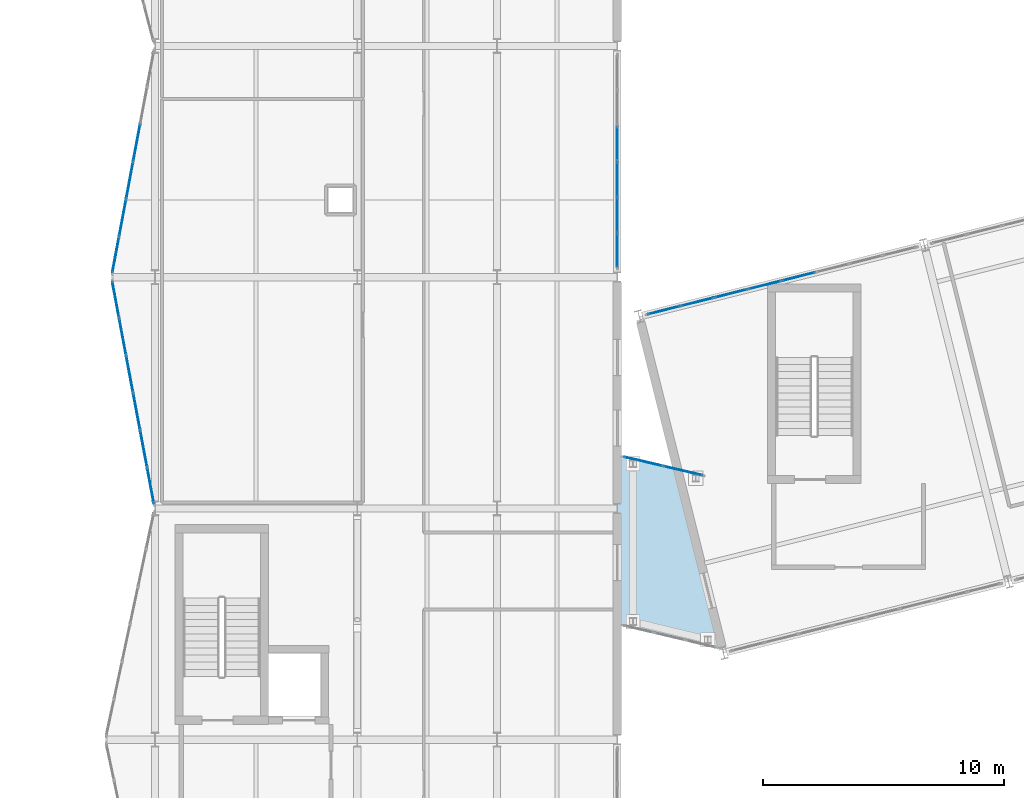
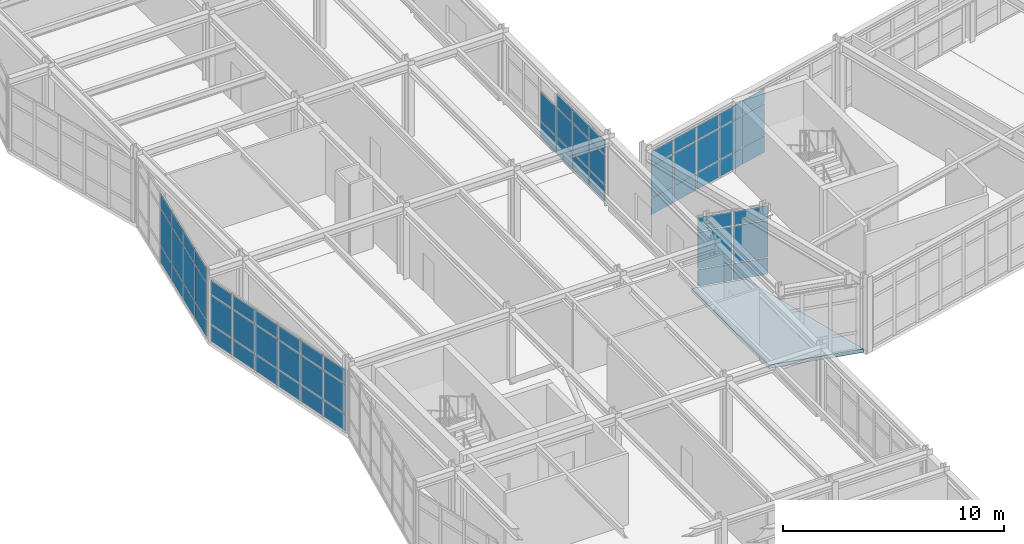
# One storey, part 59 of 99: 62 plates, 1 slab, 5 elements without a shape of their own.
"""IFC4 building model written with IfcOpenShell, lengths in metres."""

from ifc_helpers import new_model, si_unit, direction, frame, origin, origin_2d, place, context, subcontext, project, spatial, polyline, rectangle, outline, extrude, material, layer, layer_set, type_object, element, aggregate, save


model = new_model("IFC4")

# Units and contexts
model_context = context("Model", 3, precision=1e-05, world=origin(), true_north=direction((0.0, 1.0)))
body_context = subcontext(model_context, "Body", "Model", "MODEL_VIEW")
ifc_project = project(units=[si_unit("LENGTHUNIT", "METRE"), si_unit("AREAUNIT", "SQUARE_METRE"), si_unit("VOLUMEUNIT", "CUBIC_METRE"), si_unit("PLANEANGLEUNIT", "RADIAN"), si_unit("MASSUNIT", "GRAM", prefix="KILO")], contexts=[model_context])

# Site, building, storey
site_placement = place(None, origin())
site = spatial("IfcSite", under=ifc_project, at=site_placement, CompositionType="ELEMENT")
building_placement = place(site_placement, origin())
building = spatial("IfcBuilding", under=site, at=building_placement, Name="Nordkorset Police Headquarters", CompositionType="ELEMENT")
storey_placement = place(building_placement, frame((0.0, 0.0, 5.25)))
storey = spatial("IfcBuildingStorey", under=building, at=storey_placement, Name="L01", CompositionType="ELEMENT", Elevation=5.25)

# Curtain wall, plates
ifc_material_1 = material(Name="Aluminium alloy AW-6060", Category="aluminium")
ifc_layer_1 = layer(ifc_material_1, 0.179931640625, Name="Aluminium alloy AW-6060")
ifc_layer_set_1 = layer_set([ifc_layer_1], Name="Aluminium alloy AW-6060")
curtain_wall_type_1 = type_object("IfcCurtainWallType", Name="CW_Unit_949x350", PredefinedType="USERDEFINED", material=ifc_layer_set_1)
curtain_wall_1_placement = place(storey_placement, origin())
curtain_wall_1 = element("IfcCurtainWall", 1, at=curtain_wall_1_placement, inside=storey, type_object=curtain_wall_type_1, Name="Unitised Curtain Wall L01 V3W-2", ObjectType="UNITISED CURTAIN WALL", PredefinedType="USERDEFINED")
ifc_material_2 = material(Name="Low-iron triple glazing", Category="glass")
ifc_layer_2 = layer(ifc_material_2, 0.035888671875, Name="Low-iron triple glazing")
ifc_layer_set_2 = layer_set([ifc_layer_2], Name="Low-iron triple glazing")
plate_type = type_object("IfcPlateType", Name="CW_Panel_TripleGlazing_36", PredefinedType="CURTAIN_PANEL", material=ifc_layer_set_2)
plate_1_placement = place(storey_placement, frame((-0.174560546875, 48.9306640625, 0.06494140625), z_axis=(0.0, 0.0, 1.0), x_axis=(-0.184288535048, 0.982872186935, 0.0)))
plate_1 = element("IfcPlate", 2, at=plate_1_placement, type_object=plate_type, Name="CW-78 panel 1.1", PredefinedType="CURTAIN_PANEL", context=body_context, shape_type="SweptSolid", body=[
    extrude(rectangle(XDim=1.483642578125, YDim=0.035888671875, at=origin_2d()), origin(), (0.0, 0.0, 1.0), 0.902587890625),
])
plate_2_placement = place(storey_placement, frame((-0.174560546875, 48.9306640625, 1.032470703125), z_axis=(0.0, 0.0, 1.0), x_axis=(-0.184288535048, 0.982872186935, 0.0)))
plate_2 = element("IfcPlate", 3, at=plate_2_placement, type_object=plate_type, Name="CW-78 panel 1.2", PredefinedType="CURTAIN_PANEL", context=body_context, shape_type="SweptSolid", body=[
    extrude(rectangle(XDim=1.483642578125, YDim=0.035888671875, at=origin_2d()), origin(), (0.0, 0.0, 1.0), 1.5849609375),
])
plate_3_placement = place(storey_placement, frame((-0.174560546875, 48.9306640625, 2.6826171875), z_axis=(0.0, 0.0, 1.0), x_axis=(-0.184288535048, 0.982872186935, 0.0)))
plate_3 = element("IfcPlate", 4, at=plate_3_placement, type_object=plate_type, Name="CW-78 panel 1.3", PredefinedType="CURTAIN_PANEL", context=body_context, shape_type="SweptSolid", body=[
    extrude(rectangle(XDim=1.483642578125, YDim=0.035888671875, at=origin_2d()), origin(), (0.0, 0.0, 1.0), 0.75244140625),
])
plate_4_placement = place(storey_placement, frame((-0.462890625, 50.46875, 0.06494140625), z_axis=(0.0, 0.0, 1.0), x_axis=(-0.184288535048, 0.982872186935, 0.0)))
plate_4 = element("IfcPlate", 5, at=plate_4_placement, type_object=plate_type, Name="CW-78 panel 2.1", PredefinedType="CURTAIN_PANEL", context=body_context, shape_type="SweptSolid", body=[
    extrude(rectangle(XDim=1.51611328125, YDim=0.035888671875, at=origin_2d()), origin(), (0.0, 0.0, 1.0), 0.902587890625),
])
plate_5_placement = place(storey_placement, frame((-0.462890625, 50.46875, 1.032470703125), z_axis=(0.0, 0.0, 1.0), x_axis=(-0.184288535048, 0.982872186935, 0.0)))
plate_5 = element("IfcPlate", 6, at=plate_5_placement, type_object=plate_type, Name="CW-78 panel 2.2", PredefinedType="CURTAIN_PANEL", context=body_context, shape_type="SweptSolid", body=[
    extrude(rectangle(XDim=1.51611328125, YDim=0.035888671875, at=origin_2d()), origin(), (0.0, 0.0, 1.0), 1.5849609375),
])
plate_6_placement = place(storey_placement, frame((-0.462890625, 50.46875, 2.6826171875), z_axis=(0.0, 0.0, 1.0), x_axis=(-0.184288535048, 0.982872186935, 0.0)))
plate_6 = element("IfcPlate", 7, at=plate_6_placement, type_object=plate_type, Name="CW-78 panel 2.3", PredefinedType="CURTAIN_PANEL", context=body_context, shape_type="SweptSolid", body=[
    extrude(rectangle(XDim=1.51611328125, YDim=0.035888671875, at=origin_2d()), origin(), (0.0, 0.0, 1.0), 0.75244140625),
])
plate_7_placement = place(storey_placement, frame((-0.75439453125, 52.02294921875, 0.06494140625), z_axis=(0.0, 0.0, 1.0), x_axis=(-0.184288535048, 0.982872186935, 0.0)))
plate_7 = element("IfcPlate", 8, at=plate_7_placement, type_object=plate_type, Name="CW-78 panel 3.1", PredefinedType="CURTAIN_PANEL", context=body_context, shape_type="SweptSolid", body=[
    extrude(rectangle(XDim=1.51611328125, YDim=0.035888671875, at=origin_2d()), origin(), (0.0, 0.0, 1.0), 0.902587890625),
])
plate_8_placement = place(storey_placement, frame((-0.75439453125, 52.02294921875, 1.032470703125), z_axis=(0.0, 0.0, 1.0), x_axis=(-0.184288535048, 0.982872186935, 0.0)))
plate_8 = element("IfcPlate", 9, at=plate_8_placement, type_object=plate_type, Name="CW-78 panel 3.2", PredefinedType="CURTAIN_PANEL", context=body_context, shape_type="SweptSolid", body=[
    extrude(rectangle(XDim=1.51611328125, YDim=0.035888671875, at=origin_2d()), origin(), (0.0, 0.0, 1.0), 1.5849609375),
])
plate_9_placement = place(storey_placement, frame((-0.75439453125, 52.02294921875, 2.6826171875), z_axis=(0.0, 0.0, 1.0), x_axis=(-0.184288535048, 0.982872186935, 0.0)))
plate_9 = element("IfcPlate", 10, at=plate_9_placement, type_object=plate_type, Name="CW-78 panel 3.3", PredefinedType="CURTAIN_PANEL", context=body_context, shape_type="SweptSolid", body=[
    extrude(rectangle(XDim=1.51611328125, YDim=0.035888671875, at=origin_2d()), origin(), (0.0, 0.0, 1.0), 0.75244140625),
])
plate_10_placement = place(storey_placement, frame((-1.045654296875, 53.5771484375, 0.06494140625), z_axis=(0.0, 0.0, 1.0), x_axis=(-0.184288535048, 0.982872186935, 0.0)))
plate_10 = element("IfcPlate", 11, at=plate_10_placement, type_object=plate_type, Name="CW-78 panel 4.1", PredefinedType="CURTAIN_PANEL", context=body_context, shape_type="SweptSolid", body=[
    extrude(rectangle(XDim=1.51611328125, YDim=0.035888671875, at=origin_2d()), origin(), (0.0, 0.0, 1.0), 0.902587890625),
])
plate_11_placement = place(storey_placement, frame((-1.045654296875, 53.5771484375, 1.032470703125), z_axis=(0.0, 0.0, 1.0), x_axis=(-0.184288535048, 0.982872186935, 0.0)))
plate_11 = element("IfcPlate", 12, at=plate_11_placement, type_object=plate_type, Name="CW-78 panel 4.2", PredefinedType="CURTAIN_PANEL", context=body_context, shape_type="SweptSolid", body=[
    extrude(rectangle(XDim=1.51611328125, YDim=0.035888671875, at=origin_2d()), origin(), (0.0, 0.0, 1.0), 1.5849609375),
])
plate_12_placement = place(storey_placement, frame((-1.045654296875, 53.5771484375, 2.6826171875), z_axis=(0.0, 0.0, 1.0), x_axis=(-0.184288535048, 0.982872186935, 0.0)))
plate_12 = element("IfcPlate", 13, at=plate_12_placement, type_object=plate_type, Name="CW-78 panel 4.3", PredefinedType="CURTAIN_PANEL", context=body_context, shape_type="SweptSolid", body=[
    extrude(rectangle(XDim=1.51611328125, YDim=0.035888671875, at=origin_2d()), origin(), (0.0, 0.0, 1.0), 0.75244140625),
])
plate_13_placement = place(storey_placement, frame((-1.337158203125, 55.131103515625, 0.06494140625), z_axis=(0.0, 0.0, 1.0), x_axis=(-0.184288535048, 0.982872186935, 0.0)))
plate_13 = element("IfcPlate", 14, at=plate_13_placement, type_object=plate_type, Name="CW-78 panel 5.1", PredefinedType="CURTAIN_PANEL", context=body_context, shape_type="SweptSolid", body=[
    extrude(rectangle(XDim=1.51611328125, YDim=0.035888671875, at=origin_2d()), origin(), (0.0, 0.0, 1.0), 0.902587890625),
])
plate_14_placement = place(storey_placement, frame((-1.337158203125, 55.131103515625, 1.032470703125), z_axis=(0.0, 0.0, 1.0), x_axis=(-0.184288535048, 0.982872186935, 0.0)))
plate_14 = element("IfcPlate", 15, at=plate_14_placement, type_object=plate_type, Name="CW-78 panel 5.2", PredefinedType="CURTAIN_PANEL", context=body_context, shape_type="SweptSolid", body=[
    extrude(rectangle(XDim=1.51611328125, YDim=0.035888671875, at=origin_2d()), origin(), (0.0, 0.0, 1.0), 1.5849609375),
])
plate_15_placement = place(storey_placement, frame((-1.337158203125, 55.131103515625, 2.6826171875), z_axis=(0.0, 0.0, 1.0), x_axis=(-0.184288535048, 0.982872186935, 0.0)))
plate_15 = element("IfcPlate", 16, at=plate_15_placement, type_object=plate_type, Name="CW-78 panel 5.3", PredefinedType="CURTAIN_PANEL", context=body_context, shape_type="SweptSolid", body=[
    extrude(rectangle(XDim=1.51611328125, YDim=0.035888671875, at=origin_2d()), origin(), (0.0, 0.0, 1.0), 0.75244140625),
])
plate_16_placement = place(storey_placement, frame((-1.62548828125, 56.66943359375, 0.06494140625), z_axis=(0.0, 0.0, 1.0), x_axis=(-0.184288535048, 0.982872186935, 0.0)))
plate_16 = element("IfcPlate", 17, at=plate_16_placement, type_object=plate_type, Name="CW-78 panel 6.1", PredefinedType="CURTAIN_PANEL", context=body_context, shape_type="SweptSolid", body=[
    extrude(rectangle(XDim=1.483642578125, YDim=0.035888671875, at=origin_2d()), origin(), (0.0, 0.0, 1.0), 0.902587890625),
])
plate_17_placement = place(storey_placement, frame((-1.62548828125, 56.66943359375, 1.032470703125), z_axis=(0.0, 0.0, 1.0), x_axis=(-0.184288535048, 0.982872186935, 0.0)))
plate_17 = element("IfcPlate", 18, at=plate_17_placement, type_object=plate_type, Name="CW-78 panel 6.2", PredefinedType="CURTAIN_PANEL", context=body_context, shape_type="SweptSolid", body=[
    extrude(rectangle(XDim=1.483642578125, YDim=0.035888671875, at=origin_2d()), origin(), (0.0, 0.0, 1.0), 1.5849609375),
])
plate_18_placement = place(storey_placement, frame((-1.62548828125, 56.66943359375, 2.6826171875), z_axis=(0.0, 0.0, 1.0), x_axis=(-0.184288535048, 0.982872186935, 0.0)))
plate_18 = element("IfcPlate", 19, at=plate_18_placement, type_object=plate_type, Name="CW-78 panel 6.3", PredefinedType="CURTAIN_PANEL", context=body_context, shape_type="SweptSolid", body=[
    extrude(rectangle(XDim=1.483642578125, YDim=0.035888671875, at=origin_2d()), origin(), (0.0, 0.0, 1.0), 0.75244140625),
])
aggregate(curtain_wall_1, [plate_1, plate_2, plate_3, plate_4, plate_5, plate_6, plate_7, plate_8, plate_9, plate_10, plate_11, plate_12, plate_13, plate_14, plate_15, plate_16, plate_17, plate_18])

ifc_material_3 = material(Name="Aluminium alloy AW-6060", Category="aluminium")
ifc_layer_3 = layer(ifc_material_3, 0.179931640625, Name="Aluminium alloy AW-6060")
ifc_layer_set_3 = layer_set([ifc_layer_3], Name="Aluminium alloy AW-6060")
curtain_wall_type_2 = type_object("IfcCurtainWallType", Name="CW_Unit_949x392", PredefinedType="USERDEFINED", material=ifc_layer_set_3)
curtain_wall_2_placement = place(storey_placement, origin())
curtain_wall_2 = element("IfcCurtainWall", 20, at=curtain_wall_2_placement, inside=storey, type_object=curtain_wall_type_2, Name="Unitised Curtain Wall L01 V3W-3", ObjectType="UNITISED CURTAIN WALL", PredefinedType="USERDEFINED")
plate_19_placement = place(storey_placement, frame((-1.62548828125, 58.530517578125, 0.06494140625), z_axis=(0.0, 0.0, 1.0), x_axis=(0.184288535048, 0.982872186935, 0.0)))
plate_19 = element("IfcPlate", 21, at=plate_19_placement, type_object=plate_type, Name="CW-49 panel 1.1", PredefinedType="CURTAIN_PANEL", context=body_context, shape_type="SweptSolid", body=[
    extrude(rectangle(XDim=1.483642578125, YDim=0.035888671875, at=origin_2d()), origin(), (0.0, 0.0, 1.0), 0.902587890625),
])
plate_20_placement = place(storey_placement, frame((-1.62548828125, 58.530517578125, 1.032470703125), z_axis=(0.0, 0.0, 1.0), x_axis=(0.184288535048, 0.982872186935, 0.0)))
plate_20 = element("IfcPlate", 22, at=plate_20_placement, type_object=plate_type, Name="CW-49 panel 1.2", PredefinedType="CURTAIN_PANEL", context=body_context, shape_type="SweptSolid", body=[
    extrude(rectangle(XDim=1.483642578125, YDim=0.035888671875, at=origin_2d()), origin(), (0.0, 0.0, 1.0), 2.0048828125),
])
plate_21_placement = place(storey_placement, frame((-1.62548828125, 58.530517578125, 3.1025390625), z_axis=(0.0, 0.0, 1.0), x_axis=(0.184288535048, 0.982872186935, 0.0)))
plate_21 = element("IfcPlate", 23, at=plate_21_placement, type_object=plate_type, Name="CW-49 panel 1.3", PredefinedType="CURTAIN_PANEL", context=body_context, shape_type="SweptSolid", body=[
    extrude(rectangle(XDim=1.483642578125, YDim=0.035888671875, at=origin_2d()), origin(), (0.0, 0.0, 1.0), 0.75244140625),
])
plate_22_placement = place(storey_placement, frame((-1.337158203125, 60.06884765625, 0.06494140625), z_axis=(0.0, 0.0, 1.0), x_axis=(0.184288535048, 0.982872186935, 0.0)))
plate_22 = element("IfcPlate", 24, at=plate_22_placement, type_object=plate_type, Name="CW-49 panel 2.1", PredefinedType="CURTAIN_PANEL", context=body_context, shape_type="SweptSolid", body=[
    extrude(rectangle(XDim=1.51611328125, YDim=0.035888671875, at=origin_2d()), origin(), (0.0, 0.0, 1.0), 0.902587890625),
])
plate_23_placement = place(storey_placement, frame((-1.337158203125, 60.06884765625, 1.032470703125), z_axis=(0.0, 0.0, 1.0), x_axis=(0.184288535048, 0.982872186935, 0.0)))
plate_23 = element("IfcPlate", 25, at=plate_23_placement, type_object=plate_type, Name="CW-49 panel 2.2", PredefinedType="CURTAIN_PANEL", context=body_context, shape_type="SweptSolid", body=[
    extrude(rectangle(XDim=1.51611328125, YDim=0.035888671875, at=origin_2d()), origin(), (0.0, 0.0, 1.0), 2.0048828125),
])
plate_24_placement = place(storey_placement, frame((-1.337158203125, 60.06884765625, 3.1025390625), z_axis=(0.0, 0.0, 1.0), x_axis=(0.184288535048, 0.982872186935, 0.0)))
plate_24 = element("IfcPlate", 26, at=plate_24_placement, type_object=plate_type, Name="CW-49 panel 2.3", PredefinedType="CURTAIN_PANEL", context=body_context, shape_type="SweptSolid", body=[
    extrude(rectangle(XDim=1.51611328125, YDim=0.035888671875, at=origin_2d()), origin(), (0.0, 0.0, 1.0), 0.75244140625),
])
plate_25_placement = place(storey_placement, frame((-1.045654296875, 61.623046875, 0.06494140625), z_axis=(0.0, 0.0, 1.0), x_axis=(0.184288535048, 0.982872186935, 0.0)))
plate_25 = element("IfcPlate", 27, at=plate_25_placement, type_object=plate_type, Name="CW-49 panel 3.1", PredefinedType="CURTAIN_PANEL", context=body_context, shape_type="SweptSolid", body=[
    extrude(rectangle(XDim=1.51611328125, YDim=0.035888671875, at=origin_2d()), origin(), (0.0, 0.0, 1.0), 0.902587890625),
])
plate_26_placement = place(storey_placement, frame((-1.045654296875, 61.623046875, 1.032470703125), z_axis=(0.0, 0.0, 1.0), x_axis=(0.184288535048, 0.982872186935, 0.0)))
plate_26 = element("IfcPlate", 28, at=plate_26_placement, type_object=plate_type, Name="CW-49 panel 3.2", PredefinedType="CURTAIN_PANEL", context=body_context, shape_type="SweptSolid", body=[
    extrude(rectangle(XDim=1.51611328125, YDim=0.035888671875, at=origin_2d()), origin(), (0.0, 0.0, 1.0), 2.0048828125),
])
plate_27_placement = place(storey_placement, frame((-1.045654296875, 61.623046875, 3.1025390625), z_axis=(0.0, 0.0, 1.0), x_axis=(0.184288535048, 0.982872186935, 0.0)))
plate_27 = element("IfcPlate", 29, at=plate_27_placement, type_object=plate_type, Name="CW-49 panel 3.3", PredefinedType="CURTAIN_PANEL", context=body_context, shape_type="SweptSolid", body=[
    extrude(rectangle(XDim=1.51611328125, YDim=0.035888671875, at=origin_2d()), origin(), (0.0, 0.0, 1.0), 0.75244140625),
])
plate_28_placement = place(storey_placement, frame((-0.75439453125, 63.177001953125, 0.06494140625), z_axis=(0.0, 0.0, 1.0), x_axis=(0.184288535048, 0.982872186935, 0.0)))
plate_28 = element("IfcPlate", 30, at=plate_28_placement, type_object=plate_type, Name="CW-49 panel 4.1", PredefinedType="CURTAIN_PANEL", context=body_context, shape_type="SweptSolid", body=[
    extrude(rectangle(XDim=1.51611328125, YDim=0.035888671875, at=origin_2d()), origin(), (0.0, 0.0, 1.0), 0.902587890625),
])
plate_29_placement = place(storey_placement, frame((-0.75439453125, 63.177001953125, 1.032470703125), z_axis=(0.0, 0.0, 1.0), x_axis=(0.184288535048, 0.982872186935, 0.0)))
plate_29 = element("IfcPlate", 31, at=plate_29_placement, type_object=plate_type, Name="CW-49 panel 4.2", PredefinedType="CURTAIN_PANEL", context=body_context, shape_type="SweptSolid", body=[
    extrude(rectangle(XDim=1.51611328125, YDim=0.035888671875, at=origin_2d()), origin(), (0.0, 0.0, 1.0), 2.0048828125),
])
plate_30_placement = place(storey_placement, frame((-0.75439453125, 63.177001953125, 3.1025390625), z_axis=(0.0, 0.0, 1.0), x_axis=(0.184288535048, 0.982872186935, 0.0)))
plate_30 = element("IfcPlate", 32, at=plate_30_placement, type_object=plate_type, Name="CW-49 panel 4.3", PredefinedType="CURTAIN_PANEL", context=body_context, shape_type="SweptSolid", body=[
    extrude(rectangle(XDim=1.51611328125, YDim=0.035888671875, at=origin_2d()), origin(), (0.0, 0.0, 1.0), 0.75244140625),
])
aggregate(curtain_wall_2, [plate_19, plate_20, plate_21, plate_22, plate_23, plate_24, plate_25, plate_26, plate_27, plate_28, plate_29, plate_30])

ifc_material_4 = material(Name="Aluminium alloy AW-6060", Category="aluminium")
ifc_layer_4 = layer(ifc_material_4, 0.179931640625, Name="Aluminium alloy AW-6060")
ifc_layer_set_4 = layer_set([ifc_layer_4], Name="Aluminium alloy AW-6060")
curtain_wall_type_3 = type_object("IfcCurtainWallType", Name="CW_Unit_888x350", PredefinedType="USERDEFINED", material=ifc_layer_set_4)
curtain_wall_3_placement = place(storey_placement, origin())
curtain_wall_3 = element("IfcCurtainWall", 33, at=curtain_wall_3_placement, inside=storey, type_object=curtain_wall_type_3, Name="Unitised Curtain Wall L01 V3E-3", ObjectType="UNITISED CURTAIN WALL", PredefinedType="USERDEFINED")
plate_31_placement = place(storey_placement, frame((19.199951171875, 58.71630859375, 0.06494140625), z_axis=(0.0, 0.0, 1.0), x_axis=(0.0, 1.0, 0.0)))
plate_31 = element("IfcPlate", 34, at=plate_31_placement, type_object=plate_type, Name="CW-95 panel 1.1", PredefinedType="CURTAIN_PANEL", context=body_context, shape_type="SweptSolid", body=[
    extrude(rectangle(XDim=1.382568359375, YDim=0.035888671875, at=origin_2d()), origin(), (0.0, 0.0, 1.0), 0.902587890625),
])
plate_32_placement = place(storey_placement, frame((19.199951171875, 58.71630859375, 1.032470703125), z_axis=(0.0, 0.0, 1.0), x_axis=(0.0, 1.0, 0.0)))
plate_32 = element("IfcPlate", 35, at=plate_32_placement, type_object=plate_type, Name="CW-95 panel 1.2", PredefinedType="CURTAIN_PANEL", context=body_context, shape_type="SweptSolid", body=[
    extrude(rectangle(XDim=1.382568359375, YDim=0.035888671875, at=origin_2d()), origin(), (0.0, 0.0, 1.0), 1.5849609375),
])
plate_33_placement = place(storey_placement, frame((19.199951171875, 58.71630859375, 2.6826171875), z_axis=(0.0, 0.0, 1.0), x_axis=(0.0, 1.0, 0.0)))
plate_33 = element("IfcPlate", 36, at=plate_33_placement, type_object=plate_type, Name="CW-95 panel 1.3", PredefinedType="CURTAIN_PANEL", context=body_context, shape_type="SweptSolid", body=[
    extrude(rectangle(XDim=1.382568359375, YDim=0.035888671875, at=origin_2d()), origin(), (0.0, 0.0, 1.0), 0.75244140625),
])
plate_34_placement = place(storey_placement, frame((19.199951171875, 60.179931640625, 0.06494140625), z_axis=(0.0, 0.0, 1.0), x_axis=(0.0, 1.0, 0.0)))
plate_34 = element("IfcPlate", 37, at=plate_34_placement, type_object=plate_type, Name="CW-95 panel 2.1", PredefinedType="CURTAIN_PANEL", context=body_context, shape_type="SweptSolid", body=[
    extrude(rectangle(XDim=1.4150390625, YDim=0.035888671875, at=origin_2d()), origin(), (0.0, 0.0, 1.0), 0.902587890625),
])
plate_35_placement = place(storey_placement, frame((19.199951171875, 60.179931640625, 1.032470703125), z_axis=(0.0, 0.0, 1.0), x_axis=(0.0, 1.0, 0.0)))
plate_35 = element("IfcPlate", 38, at=plate_35_placement, type_object=plate_type, Name="CW-95 panel 2.2", PredefinedType="CURTAIN_PANEL", context=body_context, shape_type="SweptSolid", body=[
    extrude(rectangle(XDim=1.4150390625, YDim=0.035888671875, at=origin_2d()), origin(), (0.0, 0.0, 1.0), 1.5849609375),
])
plate_36_placement = place(storey_placement, frame((19.199951171875, 60.179931640625, 2.6826171875), z_axis=(0.0, 0.0, 1.0), x_axis=(0.0, 1.0, 0.0)))
plate_36 = element("IfcPlate", 39, at=plate_36_placement, type_object=plate_type, Name="CW-95 panel 2.3", PredefinedType="CURTAIN_PANEL", context=body_context, shape_type="SweptSolid", body=[
    extrude(rectangle(XDim=1.4150390625, YDim=0.035888671875, at=origin_2d()), origin(), (0.0, 0.0, 1.0), 0.75244140625),
])
plate_37_placement = place(storey_placement, frame((19.199951171875, 61.659912109375, 0.06494140625), z_axis=(0.0, 0.0, 1.0), x_axis=(0.0, 1.0, 0.0)))
plate_37 = element("IfcPlate", 40, at=plate_37_placement, type_object=plate_type, Name="CW-95 panel 3.1", PredefinedType="CURTAIN_PANEL", context=body_context, shape_type="SweptSolid", body=[
    extrude(rectangle(XDim=1.4150390625, YDim=0.035888671875, at=origin_2d()), origin(), (0.0, 0.0, 1.0), 0.902587890625),
])
plate_38_placement = place(storey_placement, frame((19.199951171875, 61.659912109375, 1.032470703125), z_axis=(0.0, 0.0, 1.0), x_axis=(0.0, 1.0, 0.0)))
plate_38 = element("IfcPlate", 41, at=plate_38_placement, type_object=plate_type, Name="CW-95 panel 3.2", PredefinedType="CURTAIN_PANEL", context=body_context, shape_type="SweptSolid", body=[
    extrude(rectangle(XDim=1.4150390625, YDim=0.035888671875, at=origin_2d()), origin(), (0.0, 0.0, 1.0), 1.5849609375),
])
plate_39_placement = place(storey_placement, frame((19.199951171875, 61.659912109375, 2.6826171875), z_axis=(0.0, 0.0, 1.0), x_axis=(0.0, 1.0, 0.0)))
plate_39 = element("IfcPlate", 42, at=plate_39_placement, type_object=plate_type, Name="CW-95 panel 3.3", PredefinedType="CURTAIN_PANEL", context=body_context, shape_type="SweptSolid", body=[
    extrude(rectangle(XDim=1.4150390625, YDim=0.035888671875, at=origin_2d()), origin(), (0.0, 0.0, 1.0), 0.75244140625),
])
plate_40_placement = place(storey_placement, frame((19.199951171875, 63.139892578125, 0.06494140625), z_axis=(0.0, 0.0, 1.0), x_axis=(0.0, 1.0, 0.0)))
plate_40 = element("IfcPlate", 43, at=plate_40_placement, type_object=plate_type, Name="CW-95 panel 4.1", PredefinedType="CURTAIN_PANEL", context=body_context, shape_type="SweptSolid", body=[
    extrude(rectangle(XDim=1.4150390625, YDim=0.035888671875, at=origin_2d()), origin(), (0.0, 0.0, 1.0), 0.902587890625),
])
plate_41_placement = place(storey_placement, frame((19.199951171875, 63.139892578125, 1.032470703125), z_axis=(0.0, 0.0, 1.0), x_axis=(0.0, 1.0, 0.0)))
plate_41 = element("IfcPlate", 44, at=plate_41_placement, type_object=plate_type, Name="CW-95 panel 4.2", PredefinedType="CURTAIN_PANEL", context=body_context, shape_type="SweptSolid", body=[
    extrude(rectangle(XDim=1.4150390625, YDim=0.035888671875, at=origin_2d()), origin(), (0.0, 0.0, 1.0), 1.5849609375),
])
aggregate(curtain_wall_3, [plate_31, plate_32, plate_33, plate_34, plate_35, plate_36, plate_37, plate_38, plate_39, plate_40, plate_41])

ifc_material_5 = material(Name="Aluminium alloy AW-6060", Category="aluminium")
ifc_layer_5 = layer(ifc_material_5, 0.179931640625, Name="Aluminium alloy AW-6060")
ifc_layer_set_5 = layer_set([ifc_layer_5], Name="Aluminium alloy AW-6060")
curtain_wall_type_4 = type_object("IfcCurtainWallType", Name="CW_Unit_1156x363", PredefinedType="USERDEFINED", material=ifc_layer_set_5)
curtain_wall_4_placement = place(storey_placement, origin())
curtain_wall_4 = element("IfcCurtainWall", 45, at=curtain_wall_4_placement, inside=storey, type_object=curtain_wall_type_4, Name="Unitised Curtain Wall L01 V4N-0", ObjectType="UNITISED CURTAIN WALL", PredefinedType="USERDEFINED")
plate_42_placement = place(storey_placement, frame((21.134521484375, 56.226806640625, 0.06494140625), z_axis=(0.0, 0.0, 1.0), x_axis=(0.970142347489, 0.242536235663, 0.0)))
plate_42 = element("IfcPlate", 46, at=plate_42_placement, type_object=plate_type, Name="CW-01 panel 1.1", PredefinedType="CURTAIN_PANEL", context=body_context, shape_type="SweptSolid", body=[
    extrude(rectangle(XDim=1.347412109375, YDim=0.035888671875, at=origin_2d()), origin(), (0.0, 0.0, 1.0), 0.902587890625),
])
plate_43_placement = place(storey_placement, frame((21.134521484375, 56.226806640625, 1.0322265625), z_axis=(0.0, 0.0, 1.0), x_axis=(0.970142347489, 0.242536235663, 0.0)))
plate_43 = element("IfcPlate", 47, at=plate_43_placement, type_object=plate_type, Name="CW-01 panel 1.2", PredefinedType="CURTAIN_PANEL", context=body_context, shape_type="SweptSolid", body=[
    extrude(rectangle(XDim=1.347412109375, YDim=0.035888671875, at=origin_2d()), origin(), (0.0, 0.0, 1.0), 1.715087890625),
])
plate_44_placement = place(storey_placement, frame((21.134521484375, 56.226806640625, 2.8125), z_axis=(0.0, 0.0, 1.0), x_axis=(0.970142347489, 0.242536235663, 0.0)))
plate_44 = element("IfcPlate", 48, at=plate_44_placement, type_object=plate_type, Name="CW-01 panel 1.3", PredefinedType="CURTAIN_PANEL", context=body_context, shape_type="SweptSolid", body=[
    extrude(rectangle(XDim=1.347412109375, YDim=0.035888671875, at=origin_2d()), origin(), (0.0, 0.0, 1.0), 0.75244140625),
])
plate_45_placement = place(storey_placement, frame((22.520751953125, 56.5732421875, 0.06494140625), z_axis=(0.0, 0.0, 1.0), x_axis=(0.970142347489, 0.242536235663, 0.0)))
plate_45 = element("IfcPlate", 49, at=plate_45_placement, type_object=plate_type, Name="CW-01 panel 2.1", PredefinedType="CURTAIN_PANEL", context=body_context, shape_type="SweptSolid", body=[
    extrude(rectangle(XDim=1.3798828125, YDim=0.035888671875, at=origin_2d()), origin(), (0.0, 0.0, 1.0), 0.902587890625),
])
plate_46_placement = place(storey_placement, frame((22.520751953125, 56.5732421875, 1.0322265625), z_axis=(0.0, 0.0, 1.0), x_axis=(0.970142347489, 0.242536235663, 0.0)))
plate_46 = element("IfcPlate", 50, at=plate_46_placement, type_object=plate_type, Name="CW-01 panel 2.2", PredefinedType="CURTAIN_PANEL", context=body_context, shape_type="SweptSolid", body=[
    extrude(rectangle(XDim=1.3798828125, YDim=0.035888671875, at=origin_2d()), origin(), (0.0, 0.0, 1.0), 1.715087890625),
])
plate_47_placement = place(storey_placement, frame((22.520751953125, 56.5732421875, 2.8125), z_axis=(0.0, 0.0, 1.0), x_axis=(0.970142347489, 0.242536235663, 0.0)))
plate_47 = element("IfcPlate", 51, at=plate_47_placement, type_object=plate_type, Name="CW-01 panel 2.3", PredefinedType="CURTAIN_PANEL", context=body_context, shape_type="SweptSolid", body=[
    extrude(rectangle(XDim=1.3798828125, YDim=0.035888671875, at=origin_2d()), origin(), (0.0, 0.0, 1.0), 0.75244140625),
])
plate_48_placement = place(storey_placement, frame((23.922607421875, 56.923828125, 0.06494140625), z_axis=(0.0, 0.0, 1.0), x_axis=(0.970142347489, 0.242536235663, 0.0)))
plate_48 = element("IfcPlate", 52, at=plate_48_placement, type_object=plate_type, Name="CW-01 panel 3.1", PredefinedType="CURTAIN_PANEL", context=body_context, shape_type="SweptSolid", body=[
    extrude(rectangle(XDim=1.3798828125, YDim=0.035888671875, at=origin_2d()), origin(), (0.0, 0.0, 1.0), 0.902587890625),
])
plate_49_placement = place(storey_placement, frame((23.922607421875, 56.923828125, 1.0322265625), z_axis=(0.0, 0.0, 1.0), x_axis=(0.970142347489, 0.242536235663, 0.0)))
plate_49 = element("IfcPlate", 53, at=plate_49_placement, type_object=plate_type, Name="CW-01 panel 3.2", PredefinedType="CURTAIN_PANEL", context=body_context, shape_type="SweptSolid", body=[
    extrude(rectangle(XDim=1.3798828125, YDim=0.035888671875, at=origin_2d()), origin(), (0.0, 0.0, 1.0), 1.715087890625),
])
plate_50_placement = place(storey_placement, frame((23.922607421875, 56.923828125, 2.8125), z_axis=(0.0, 0.0, 1.0), x_axis=(0.970142347489, 0.242536235663, 0.0)))
plate_50 = element("IfcPlate", 54, at=plate_50_placement, type_object=plate_type, Name="CW-01 panel 3.3", PredefinedType="CURTAIN_PANEL", context=body_context, shape_type="SweptSolid", body=[
    extrude(rectangle(XDim=1.3798828125, YDim=0.035888671875, at=origin_2d()), origin(), (0.0, 0.0, 1.0), 0.75244140625),
])
plate_51_placement = place(storey_placement, frame((25.324462890625, 57.274169921875, 0.06494140625), z_axis=(0.0, 0.0, 1.0), x_axis=(0.970142347489, 0.242536235663, 0.0)))
plate_51 = element("IfcPlate", 55, at=plate_51_placement, type_object=plate_type, Name="CW-01 panel 4.1", PredefinedType="CURTAIN_PANEL", context=body_context, shape_type="SweptSolid", body=[
    extrude(rectangle(XDim=1.3798828125, YDim=0.035888671875, at=origin_2d()), origin(), (0.0, 0.0, 1.0), 0.902587890625),
])
plate_52_placement = place(storey_placement, frame((25.324462890625, 57.274169921875, 1.0322265625), z_axis=(0.0, 0.0, 1.0), x_axis=(0.970142347489, 0.242536235663, 0.0)))
plate_52 = element("IfcPlate", 56, at=plate_52_placement, type_object=plate_type, Name="CW-01 panel 4.2", PredefinedType="CURTAIN_PANEL", context=body_context, shape_type="SweptSolid", body=[
    extrude(rectangle(XDim=1.3798828125, YDim=0.035888671875, at=origin_2d()), origin(), (0.0, 0.0, 1.0), 1.715087890625),
])
plate_53_placement = place(storey_placement, frame((25.324462890625, 57.274169921875, 2.8125), z_axis=(0.0, 0.0, 1.0), x_axis=(0.970142347489, 0.242536235663, 0.0)))
plate_53 = element("IfcPlate", 57, at=plate_53_placement, type_object=plate_type, Name="CW-01 panel 4.3", PredefinedType="CURTAIN_PANEL", context=body_context, shape_type="SweptSolid", body=[
    extrude(rectangle(XDim=1.3798828125, YDim=0.035888671875, at=origin_2d()), origin(), (0.0, 0.0, 1.0), 0.75244140625),
])
plate_54_placement = place(storey_placement, frame((26.726318359375, 57.624755859375, 0.06494140625), z_axis=(0.0, 0.0, 1.0), x_axis=(0.970142347489, 0.242536235663, 0.0)))
plate_54 = element("IfcPlate", 58, at=plate_54_placement, type_object=plate_type, Name="CW-01 panel 5.1", PredefinedType="CURTAIN_PANEL", context=body_context, shape_type="SweptSolid", body=[
    extrude(rectangle(XDim=1.3798828125, YDim=0.035888671875, at=origin_2d()), origin(), (0.0, 0.0, 1.0), 0.902587890625),
])
plate_55_placement = place(storey_placement, frame((26.726318359375, 57.624755859375, 1.0322265625), z_axis=(0.0, 0.0, 1.0), x_axis=(0.970142347489, 0.242536235663, 0.0)))
plate_55 = element("IfcPlate", 59, at=plate_55_placement, type_object=plate_type, Name="CW-01 panel 5.2", PredefinedType="CURTAIN_PANEL", context=body_context, shape_type="SweptSolid", body=[
    extrude(rectangle(XDim=1.3798828125, YDim=0.035888671875, at=origin_2d()), origin(), (0.0, 0.0, 1.0), 1.715087890625),
])
plate_56_placement = place(storey_placement, frame((26.726318359375, 57.624755859375, 2.8125), z_axis=(0.0, 0.0, 1.0), x_axis=(0.970142347489, 0.242536235663, 0.0)))
plate_56 = element("IfcPlate", 60, at=plate_56_placement, type_object=plate_type, Name="CW-01 panel 5.3", PredefinedType="CURTAIN_PANEL", context=body_context, shape_type="SweptSolid", body=[
    extrude(rectangle(XDim=1.3798828125, YDim=0.035888671875, at=origin_2d()), origin(), (0.0, 0.0, 1.0), 0.75244140625),
])
aggregate(curtain_wall_4, [plate_42, plate_43, plate_44, plate_45, plate_46, plate_47, plate_48, plate_49, plate_50, plate_51, plate_52, plate_53, plate_54, plate_55, plate_56])

ifc_material_6 = material(Name="Aluminium alloy AW-6060", Category="aluminium")
ifc_layer_6 = layer(ifc_material_6, 0.179931640625, Name="Aluminium alloy AW-6060")
ifc_layer_set_6 = layer_set([ifc_layer_6], Name="Aluminium alloy AW-6060")
curtain_wall_type_5 = type_object("IfcCurtainWallType", Name="CW_Unit_344x392", PredefinedType="USERDEFINED", material=ifc_layer_set_6)
curtain_wall_5_placement = place(storey_placement, origin())
curtain_wall_5 = element("IfcCurtainWall", 61, at=curtain_wall_5_placement, inside=storey, type_object=curtain_wall_type_5, Name="Unitised Curtain Wall L01 BRGW-N", ObjectType="UNITISED CURTAIN WALL", PredefinedType="USERDEFINED")
plate_57_placement = place(storey_placement, frame((20.2783203125, 49.9482421875, 0.06494140625), z_axis=(0.0, 0.0, 1.0), x_axis=(0.973451612554, -0.228892896387, 0.0)))
plate_57 = element("IfcPlate", 62, at=plate_57_placement, type_object=plate_type, Name="CW-51 panel 1.1", PredefinedType="CURTAIN_PANEL", context=body_context, shape_type="SweptSolid", body=[
    extrude(rectangle(XDim=1.623046875, YDim=0.035888671875, at=origin_2d()), origin(), (0.0, 0.0, 1.0), 0.902587890625),
])
plate_58_placement = place(storey_placement, frame((20.2783203125, 49.9482421875, 1.032470703125), z_axis=(0.0, 0.0, 1.0), x_axis=(0.973451612554, -0.228892896387, 0.0)))
plate_58 = element("IfcPlate", 63, at=plate_58_placement, type_object=plate_type, Name="CW-51 panel 1.2", PredefinedType="CURTAIN_PANEL", context=body_context, shape_type="SweptSolid", body=[
    extrude(rectangle(XDim=1.623046875, YDim=0.035888671875, at=origin_2d()), origin(), (0.0, 0.0, 1.0), 2.0048828125),
])
plate_59_placement = place(storey_placement, frame((20.2783203125, 49.9482421875, 3.1025390625), z_axis=(0.0, 0.0, 1.0), x_axis=(0.973451612554, -0.228892896387, 0.0)))
plate_59 = element("IfcPlate", 64, at=plate_59_placement, type_object=plate_type, Name="CW-51 panel 1.3", PredefinedType="CURTAIN_PANEL", context=body_context, shape_type="SweptSolid", body=[
    extrude(rectangle(XDim=1.623046875, YDim=0.035888671875, at=origin_2d()), origin(), (0.0, 0.0, 1.0), 0.75244140625),
])
plate_60_placement = place(storey_placement, frame((21.921630859375, 49.561767578125, 0.06494140625), z_axis=(0.0, 0.0, 1.0), x_axis=(0.973451612554, -0.228892896387, 0.0)))
plate_60 = element("IfcPlate", 65, at=plate_60_placement, type_object=plate_type, Name="CW-51 panel 2.1", PredefinedType="CURTAIN_PANEL", context=body_context, shape_type="SweptSolid", body=[
    extrude(rectangle(XDim=1.623046875, YDim=0.035888671875, at=origin_2d()), origin(), (0.0, 0.0, 1.0), 0.902587890625),
])
plate_61_placement = place(storey_placement, frame((21.921630859375, 49.561767578125, 1.032470703125), z_axis=(0.0, 0.0, 1.0), x_axis=(0.973451612554, -0.228892896387, 0.0)))
plate_61 = element("IfcPlate", 66, at=plate_61_placement, type_object=plate_type, Name="CW-51 panel 2.2", PredefinedType="CURTAIN_PANEL", context=body_context, shape_type="SweptSolid", body=[
    extrude(rectangle(XDim=1.623046875, YDim=0.035888671875, at=origin_2d()), origin(), (0.0, 0.0, 1.0), 2.0048828125),
])
plate_62_placement = place(storey_placement, frame((21.921630859375, 49.561767578125, 3.1025390625), z_axis=(0.0, 0.0, 1.0), x_axis=(0.973451612554, -0.228892896387, 0.0)))
plate_62 = element("IfcPlate", 67, at=plate_62_placement, type_object=plate_type, Name="CW-51 panel 2.3", PredefinedType="CURTAIN_PANEL", context=body_context, shape_type="SweptSolid", body=[
    extrude(rectangle(XDim=1.623046875, YDim=0.035888671875, at=origin_2d()), origin(), (0.0, 0.0, 1.0), 0.75244140625),
])
aggregate(curtain_wall_5, [plate_57, plate_58, plate_59, plate_60, plate_61, plate_62])

# Slab
ifc_material_7 = material(Name="Concrete C35/45", Category="concrete")
ifc_layer_7 = layer(ifc_material_7, 0.195068359375, Name="Concrete C35/45")
ifc_layer_set_7 = layer_set([ifc_layer_7], Name="Concrete C35/45")
slab_type = type_object("IfcSlabType", Name="Slab_Bridge_195", PredefinedType="FLOOR", material=ifc_layer_set_7)
slab_placement = place(storey_placement, frame((0.0, 0.0, -0.195068359375)))
element("IfcSlab", 68, at=slab_placement, inside=storey, type_object=slab_type, Name="West Courtyard Glazed Link Bridge Floor Slab L01", PredefinedType="FLOOR", context=body_context, shape_type="SweptSolid", body=[
    extrude(outline(polyline([(19.205078125, 43.199951171875), (19.205078125, 50.199951171875), (21.69580078125, 49.616943359375), (23.5576171875, 42.169189453125), (19.205078125, 43.199951171875)])), origin(), (0.0, 0.0, 1.0), 0.195068359375),
])

save(model, "model.ifc")
